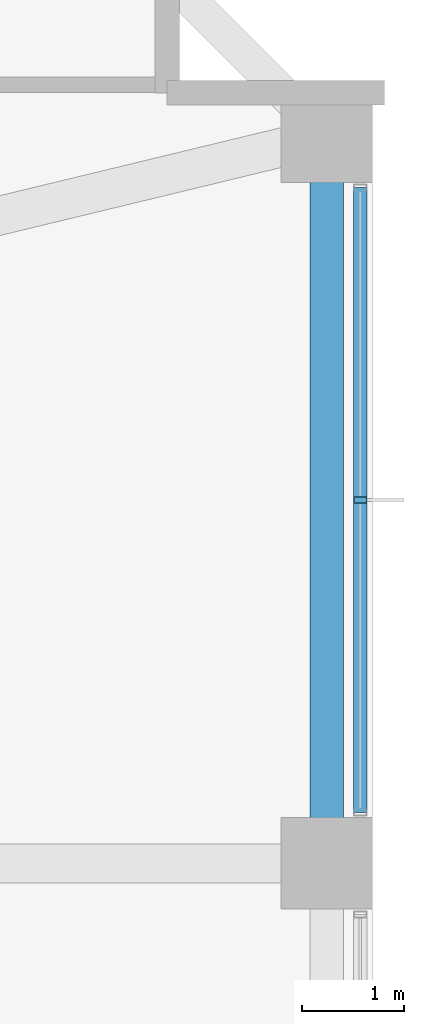
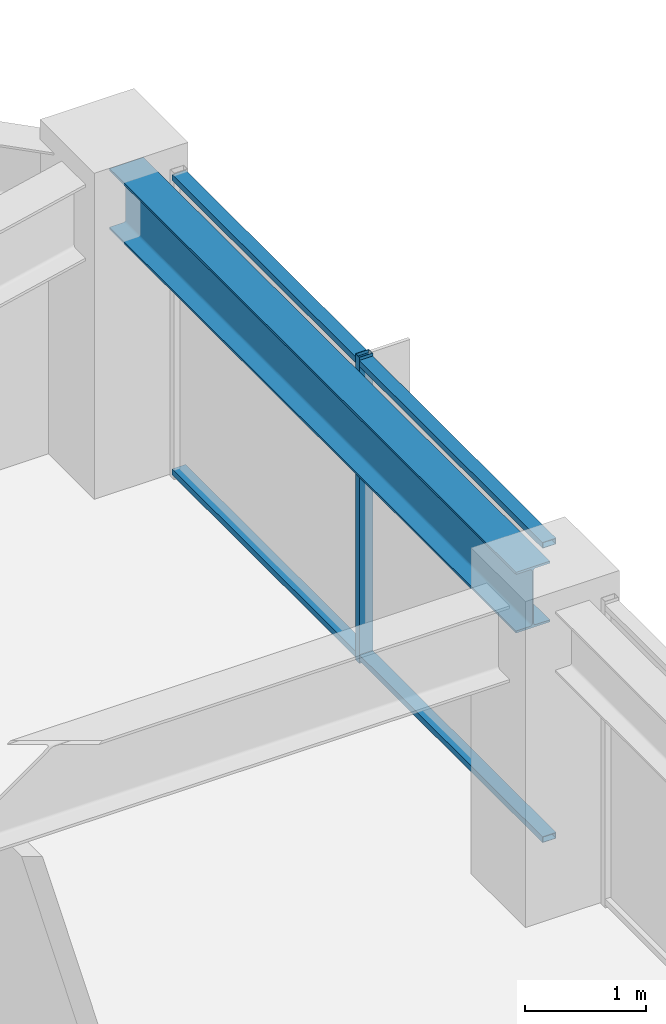
# One storey, part 15 of 31: 3 members, 1 beam, 1 element without a shape of its own.
"""IFC4 building model written with IfcOpenShell, lengths in metres."""

from ifc_helpers import new_model, si_unit, direction, frame, origin, origin_2d, place, context, subcontext, project, spatial, hollow_rectangle, i_section, extrude, material, material_profile, profile_set, type_object, element, aggregate, save


model = new_model("IFC4")

# Units and contexts
model_context = context("Model", 3, precision=1e-05, world=origin(), true_north=direction((0.0, 1.0)))
body_context = subcontext(model_context, "Body", "Model", "MODEL_VIEW")
ifc_project = project(units=[si_unit("LENGTHUNIT", "METRE"), si_unit("AREAUNIT", "SQUARE_METRE"), si_unit("VOLUMEUNIT", "CUBIC_METRE"), si_unit("PLANEANGLEUNIT", "RADIAN"), si_unit("MASSUNIT", "GRAM", prefix="KILO")], contexts=[model_context])

# Site, building, storey
site_placement = place(None, origin())
site = spatial("IfcSite", under=ifc_project, at=site_placement, CompositionType="ELEMENT")
building_placement = place(site_placement, origin())
building = spatial("IfcBuilding", under=site, at=building_placement, Name="Kolvaren Belvedere", CompositionType="ELEMENT")
storey_placement = place(building_placement, frame((0.0, 0.0, 138.199951171875)))
storey = spatial("IfcBuildingStorey", under=building, at=storey_placement, Name="L40", CompositionType="ELEMENT", Elevation=138.199951171875)

# Beam
ifc_material_1 = material(Name="Structural steel ASTM A992 Grade 50", Category="steel")
ifc_material_profile_1 = material_profile(ifc_material_1, i_section(OverallWidth=0.324951171875, OverallDepth=0.615966796875, WebThickness=0.013916015625, FlangeThickness=0.021484375, FilletRadius=0.02001953125, at=origin_2d()), Name="W24X117")
ifc_profile_set_1 = profile_set([ifc_material_profile_1], Name="Structural steel ASTM A992 Grade 50")
beam_type = type_object("IfcBeamType", Name="BM-SPAN-W24X117", PredefinedType="SPANDREL", material=ifc_profile_set_1)
beam_placement = place(storey_placement, frame((17.550048828125, 4.802490234375, 2.7919921875), z_axis=(0.0, 1.0, 0.0), x_axis=(-1.0, 0.0, 0.0)))
element("IfcBeam", 1, at=beam_placement, inside=storey, type_object=beam_type, Name="L40 Perimeter Spandrel E3-E4", PredefinedType="SPANDREL", context=body_context, shape_type="SweptSolid", body=[
    extrude(i_section(OverallWidth=0.324951171875, OverallDepth=0.615966796875, WebThickness=0.013916015625, FlangeThickness=0.021484375, FilletRadius=0.02001953125, at=origin_2d()), origin(), (0.0, 0.0, 1.0), 6.7451171875),
])

# Curtain wall, members
ifc_material_2 = material(Name="Anodised pale-metal aluminium AA 6063-T6", Category="aluminium")
curtain_wall_type = type_object("IfcCurtainWallType", Name="CW-Z3-WAIST", PredefinedType="NOTDEFINED", material=ifc_material_2)
curtain_wall_placement = place(storey_placement, origin())
curtain_wall = element("IfcCurtainWall", 2, at=curtain_wall_placement, inside=storey, type_object=curtain_wall_type, Name="L40 Unitised Curtain Wall FCW-L40-E-B1", PredefinedType="NOTDEFINED")
ifc_material_3 = material(Name="Anodised pale-metal aluminium AA 6063-T6", Category="aluminium")
ifc_material_profile_2 = material_profile(ifc_material_3, hollow_rectangle(XDim=0.06494140625, YDim=0.1298828125, WallThickness=0.00390625, at=origin_2d()), Name="ALU-MUL-130X65")
ifc_profile_set_2 = profile_set([ifc_material_profile_2], Name="Anodised pale-metal aluminium AA 6063-T6")
member_type_1 = type_object("IfcMemberType", Name="CW-MUL-130", PredefinedType="MULLION", material=ifc_profile_set_2)
member_1_placement = place(storey_placement, frame((17.8798828125, 8.175048828125, 0.0), z_axis=(0.0, 0.0, 1.0), x_axis=(0.0, 1.0, 0.0)))
member_1 = element("IfcMember", 3, at=member_1_placement, type_object=member_type_1, Name="FCW-L40-E-B1 Unitised Mullion 2", PredefinedType="MULLION", context=body_context, shape_type="SweptSolid", body=[
    extrude(hollow_rectangle(XDim=0.06494140625, YDim=0.1298828125, WallThickness=0.00390625, at=origin_2d()), origin(), (0.0, 0.0, 1.0), 3.10009765625),
])
ifc_material_4 = material(Name="Anodised pale-metal aluminium AA 6063-T6", Category="aluminium")
ifc_material_profile_3 = material_profile(ifc_material_4, hollow_rectangle(XDim=0.06005859375, YDim=0.1298828125, WallThickness=0.00390625, at=origin_2d()), Name="ALU-TRN-130X60")
ifc_profile_set_3 = profile_set([ifc_material_profile_3], Name="Anodised pale-metal aluminium AA 6063-T6")
member_type_2 = type_object("IfcMemberType", Name="CW-TRN-130", PredefinedType="USERDEFINED", material=ifc_profile_set_3)
member_2_placement = place(storey_placement, frame((17.8798828125, 11.24755859375, 0.06005859375), z_axis=(0.0, -1.0, 0.0), x_axis=(0.0, 0.0, 1.0)))
member_2 = element("IfcMember", 4, at=member_2_placement, type_object=member_type_2, Name="FCW-L40-E-B1 Sill Transom", ObjectType="TRANSOM", PredefinedType="USERDEFINED", context=body_context, shape_type="SweptSolid", body=[
    extrude(hollow_rectangle(XDim=0.06005859375, YDim=0.1298828125, WallThickness=0.00390625, at=origin_2d()), origin(), (0.0, 0.0, 1.0), 6.14501953125),
])
member_3_placement = place(storey_placement, frame((17.8798828125, 11.24755859375, 3.0400390625), z_axis=(0.0, -1.0, 0.0), x_axis=(0.0, 0.0, 1.0)))
member_3 = element("IfcMember", 5, at=member_3_placement, type_object=member_type_2, Name="FCW-L40-E-B1 Head Transom", ObjectType="TRANSOM", PredefinedType="USERDEFINED", context=body_context, shape_type="SweptSolid", body=[
    extrude(hollow_rectangle(XDim=0.06005859375, YDim=0.1298828125, WallThickness=0.00390625, at=origin_2d()), origin(), (0.0, 0.0, 1.0), 6.14501953125),
])
aggregate(curtain_wall, [member_1, member_2, member_3])

save(model, "model.ifc")
